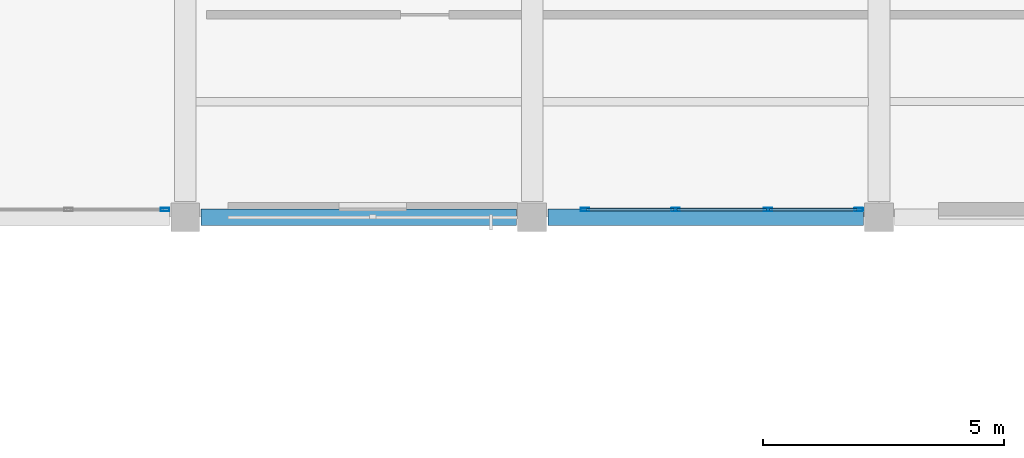
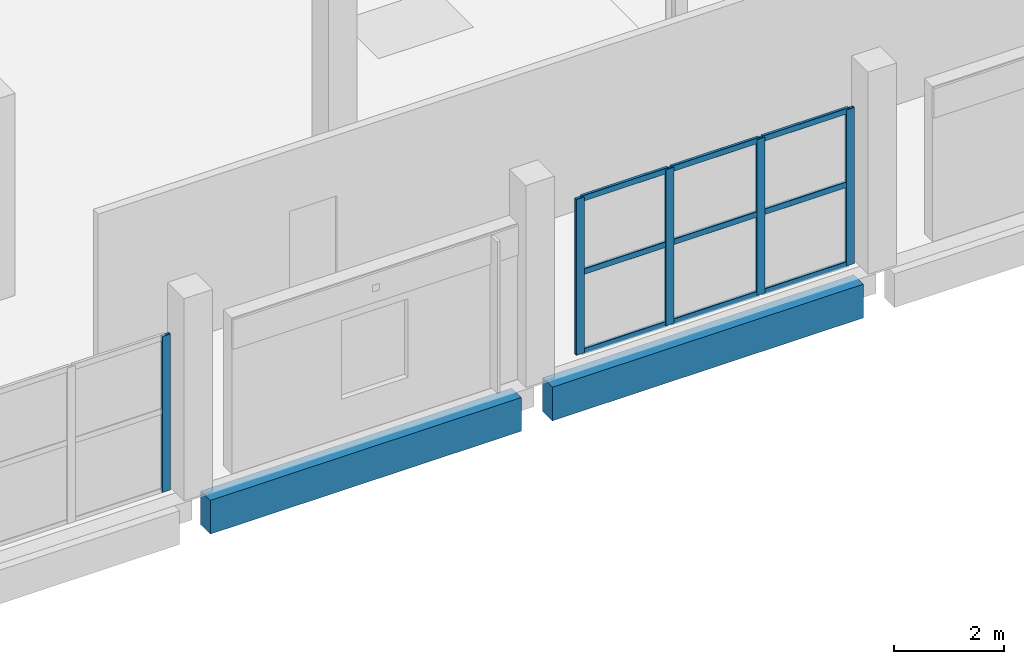
# One storey, part 52 of 123: 14 members, 2 beams, 2 elements without a shape of their own.
"""IFC4 building model written with IfcOpenShell, lengths in metres."""

import ifcopenshell
import ifcopenshell.guid

model = None  # the IFC model being written
_history = None  # IfcOwnerHistory: only IFC2X3 demands one
_inside = {}  # id of a spatial element -> (the spatial element, [elements in it])
_under = {}  # id of a project, library or spatial element -> (it, [spatial elements below it])
_declared = {}  # id of a project -> (the project, [libraries it declares])
_typed = {}  # id of a type object -> (the type object, [elements of that type])
_made_of = {}  # id of a material, layer set ... -> (it, [elements and type objects made of it])


def new_model(schema):
    """Start an empty IFC model of exactly this schema.

    Asked for "IFC4X3", IfcOpenShell would pick the latest addendum, in which some entities
    have other attributes; the version numbers below select the first issue.
    IFC2X3 requires an IfcOwnerHistory on every rooted entity: one is made here for all.
    """
    global model, _history
    if schema == "IFC4X3":
        model = ifcopenshell.file(schema_version=(4, 3, 0, 0))
    else:
        model = ifcopenshell.file(schema=schema)
    _inside.clear()
    _under.clear()
    _declared.clear()
    _typed.clear()
    _made_of.clear()
    _history = None
    if model.schema == "IFC2X3":
        org = make("IfcOrganization", Name="unknown")
        user = make(
            "IfcPersonAndOrganization",
            ThePerson=make("IfcPerson", FamilyName="unknown"),
            TheOrganization=org,
        )
        app = make(
            "IfcApplication",
            ApplicationDeveloper=org,
            Version="unknown",
            ApplicationFullName="unknown",
            ApplicationIdentifier="unknown",
        )
        _history = make(
            "IfcOwnerHistory",
            OwningUser=user,
            OwningApplication=app,
            ChangeAction="ADDED",
            CreationDate=0,
        )
    return model


def make(cls, **values):
    """One entity of the class cls with the attributes given. An attribute that is None is left unset."""
    return model.create_entity(
        cls, **{name: value for name, value in values.items() if value is not None}
    )


def rooted(cls, **values):
    """An entity with a GlobalId (a new one), such as an element, a storey or a relation."""
    return make(cls, GlobalId=ifcopenshell.guid.new(), OwnerHistory=_history, **values)


def si_unit(unit_type, name, prefix=None):
    """IfcSIUnit, for example si_unit("LENGTHUNIT", "METRE", prefix="MILLI")."""
    return make("IfcSIUnit", UnitType=unit_type, Prefix=prefix, Name=name)


def assignment(units):
    """IfcUnitAssignment: the units of a project."""
    return None if units is None else make("IfcUnitAssignment", Units=units)


def point(xyz):
    """IfcCartesianPoint."""
    return None if xyz is None else make("IfcCartesianPoint", Coordinates=xyz)


def direction(xyz):
    """IfcDirection."""
    return None if xyz is None else make("IfcDirection", DirectionRatios=xyz)


def frame(location, z_axis=None, x_axis=None):
    """IfcAxis2Placement3D, a coordinate frame: its origin and axes. An axis left out is left unset."""
    return make(
        "IfcAxis2Placement3D",
        Location=point(location),
        Axis=direction(z_axis),
        RefDirection=direction(x_axis),
    )


def frame_2d(location, x_axis=None):
    """IfcAxis2Placement2D, a coordinate frame in the plane: its origin and x axis."""
    return make(
        "IfcAxis2Placement2D", Location=point(location), RefDirection=direction(x_axis)
    )


def origin():
    """The frame at (0, 0, 0) with its axes left unset."""
    return frame((0.0, 0.0, 0.0))


def origin_2d():
    """The frame at (0, 0) in the plane with its x axis left unset."""
    return frame_2d((0.0, 0.0))


def place(relative_to, where):
    """IfcLocalPlacement: puts the frame where relative to a parent placement (None: the world)."""
    return make(
        "IfcLocalPlacement", PlacementRelTo=relative_to, RelativePlacement=where
    )


def context(
    kind, dimensions, precision=None, world=None, true_north=None, identifier=None
):
    """IfcGeometricRepresentationContext, for example the 3D "Model" context."""
    return make(
        "IfcGeometricRepresentationContext",
        ContextIdentifier=identifier,
        ContextType=kind,
        CoordinateSpaceDimension=dimensions,
        Precision=precision,
        WorldCoordinateSystem=world,
        TrueNorth=true_north,
    )


def subcontext(parent, identifier, kind, view, scale=None):
    """IfcGeometricRepresentationSubContext, for example "Body" below "Model"."""
    return make(
        "IfcGeometricRepresentationSubContext",
        ContextIdentifier=identifier,
        ContextType=kind,
        ParentContext=parent,
        TargetScale=scale,
        TargetView=view,
    )


def project(units=None, contexts=None):
    """IfcProject with its units and contexts."""
    return rooted(
        "IfcProject",
        Name="project",
        RepresentationContexts=contexts,
        UnitsInContext=assignment(units),
    )


def spatial(cls, under=None, at=None, **own):
    """A site, building, storey or space (cls), placed at a placement, below another one or the project."""
    s = rooted(cls, ObjectPlacement=at, **own)
    if under is not None:
        _under.setdefault(under.id(), (under, []))[1].append(s)
    return s


def profile(cls, at=None, kind="AREA", **sizes):
    """A parametric profile (cls). Its sizes go by their IFC names, for example OverallWidth=200.0."""
    return make(cls, ProfileType=kind, Position=at, **sizes)


def rectangle(**sizes):
    """IfcRectangleProfileDef."""
    return profile("IfcRectangleProfileDef", **sizes)


def hollow_rectangle(**sizes):
    """IfcRectangleHollowProfileDef."""
    return profile("IfcRectangleHollowProfileDef", **sizes)


def extrude(swept, where, along, depth):
    """IfcExtrudedAreaSolid: the profile swept, set in the frame where, extruded along a direction by depth."""
    return make(
        "IfcExtrudedAreaSolid",
        SweptArea=swept,
        Position=where,
        ExtrudedDirection=direction(along),
        Depth=depth,
    )


def shape(context_of_items, identifier, shape_type, items):
    """IfcShapeRepresentation: the items that make up one representation, for example the "Body"."""
    return make(
        "IfcShapeRepresentation",
        ContextOfItems=context_of_items,
        RepresentationIdentifier=identifier,
        RepresentationType=shape_type,
        Items=items,
    )


def material(Name=None, Category=None):
    """IfcMaterial."""
    return make("IfcMaterial", Name=Name, Category=Category)


def material_profile(
    of_material, cross_section, Name=None, Category=None, Priority=None
):
    """IfcMaterialProfile: a cross section and its material."""
    return make(
        "IfcMaterialProfile",
        Name=Name,
        Material=of_material,
        Profile=cross_section,
        Priority=Priority,
        Category=Category,
    )


def profile_set(profiles, Name=None, composite=None):
    """IfcMaterialProfileSet."""
    return make(
        "IfcMaterialProfileSet",
        Name=Name,
        MaterialProfiles=profiles,
        CompositeProfile=composite,
    )


def made_of(thing, what):
    """Note that an element or type object is made of a material, layer set ...; save() writes the relation."""
    if what is not None:
        _made_of.setdefault(what.id(), (what, []))[1].append(thing)
    return thing


def type_object(cls, material=None, **own):
    """A type object (cls), such as IfcWallType, which elements share."""
    return made_of(rooted(cls, **own), material)


def element(
    cls,
    number,
    at=None,
    inside=None,
    cuts=None,
    type_object=None,
    material=None,
    context=None,
    identifier="Body",
    shape_type=None,
    held_by="IfcProductDefinitionShape",
    body=None,
    shapes=None,
    **own,
):
    """One element of the class cls, such as IfcWall. Its Tag is "e" and its number.

    at: its placement. inside: the storey or other place that contains it. cuts: it is an
    opening in that element (IfcRelVoidsElement). A single representation is given by context,
    identifier, shape_type and body (its items); several are given by shapes. held_by: the class
    of the entity that holds the representations. save() writes the other relations.
    """
    e = rooted(cls, Tag="e%d" % number, ObjectPlacement=at, **own)
    if body is not None:
        shapes = [shape(context, identifier, shape_type, body)]
    if shapes is not None:
        e.Representation = make(held_by, Representations=shapes)
    if inside is not None:
        _inside.setdefault(inside.id(), (inside, []))[1].append(e)
    if cuts is not None:
        rooted(
            "IfcRelVoidsElement", RelatingBuildingElement=cuts, RelatedOpeningElement=e
        )
    if type_object is not None:
        _typed.setdefault(type_object.id(), (type_object, []))[1].append(e)
    return made_of(e, material)


def aggregate(whole, parts):
    """IfcRelAggregates: a whole, such as a stair, and the parts it consists of."""
    return rooted("IfcRelAggregates", RelatingObject=whole, RelatedObjects=parts)


def save(model, path):
    """Write the relations noted so far, then the file.

    IfcRelAggregates (storeys below a building ...), IfcRelContainedInSpatialStructure (elements
    in a storey), IfcRelDefinesByType, IfcRelAssociatesMaterial and IfcRelDeclares: one each for
    every whole, place, type object, material and project.
    """
    for whole, parts in _under.values():
        aggregate(whole, parts)
    for where, things in _inside.values():
        rooted(
            "IfcRelContainedInSpatialStructure",
            RelatedElements=things,
            RelatingStructure=where,
        )
    for kind, things in _typed.values():
        rooted("IfcRelDefinesByType", RelatedObjects=things, RelatingType=kind)
    for what, things in _made_of.values():
        rooted("IfcRelAssociatesMaterial", RelatedObjects=things, RelatingMaterial=what)
    for by, libraries in _declared.values():
        rooted("IfcRelDeclares", RelatingContext=by, RelatedDefinitions=libraries)
    model.write(path)


model = new_model("IFC4")

# Units and contexts
model_context = context("Model", 3, precision=1e-05, world=origin(), true_north=direction((0.0, 1.0)))
body_context = subcontext(model_context, "Body", "Model", "MODEL_VIEW")
ifc_project = project(units=[si_unit("LENGTHUNIT", "METRE"), si_unit("AREAUNIT", "SQUARE_METRE"), si_unit("VOLUMEUNIT", "CUBIC_METRE"), si_unit("PLANEANGLEUNIT", "RADIAN"), si_unit("MASSUNIT", "GRAM", prefix="KILO")], contexts=[model_context])

# Site, building, storey
site_placement = place(None, origin())
site = spatial("IfcSite", under=ifc_project, at=site_placement, CompositionType="ELEMENT")
building_placement = place(site_placement, origin())
building = spatial("IfcBuilding", under=site, at=building_placement, Name="Kalmorath City Hall", CompositionType="ELEMENT")
storey_placement = place(building_placement, frame((0.0, 0.0, 10.199951171875)))
storey = spatial("IfcBuildingStorey", under=building, at=storey_placement, Name="L02", CompositionType="ELEMENT", Elevation=10.199951171875)

# Curtain wall, members
ifc_material_1 = material(Name="Anodised aluminium and laminated glass", Category="aluminium")
curtain_wall_type_1 = type_object("IfcCurtainWallType", Name="Unitised hurricane curtain wall 5749x3471 M1750", PredefinedType="NOTDEFINED", material=ifc_material_1)
curtain_wall_1_placement = place(storey_placement, origin())
curtain_wall_1 = element("IfcCurtainWall", 1, at=curtain_wall_1_placement, inside=storey, type_object=curtain_wall_type_1, Name="L02 curtain wall CW-57X35M18 #135", PredefinedType="NOTDEFINED")
ifc_material_2 = material(Name="Anodised aluminium framing", Category="aluminium")
ifc_material_profile_1 = material_profile(ifc_material_2, hollow_rectangle(XDim=0.06494140625, YDim=0.179931640625, WallThickness=0.00390625, InnerFilletRadius=0.00390625, OuterFilletRadius=0.008056640625, at=origin_2d()), Name="ALU-MUL-180X65X4")
ifc_profile_set_1 = profile_set([ifc_material_profile_1], Name="Anodised aluminium framing")
member_type_1 = type_object("IfcMemberType", Name="Curtain-wall courtyard mullion 180x65", PredefinedType="MULLION", material=ifc_profile_set_1)
member_1_placement = place(storey_placement, frame((78.777587890625, 93.760009765625, 0.0), z_axis=(0.0, 0.0, 1.0), x_axis=(0.0, -1.0, 0.0)))
member_1 = element("IfcMember", 2, at=member_1_placement, type_object=member_type_1, Name="CW-57X35M18 mullion 1", PredefinedType="MULLION", context=body_context, shape_type="SweptSolid", body=[
    extrude(hollow_rectangle(XDim=0.06494140625, YDim=0.179931640625, WallThickness=0.00390625, InnerFilletRadius=0.00390625, OuterFilletRadius=0.008056640625, at=origin_2d()), origin(), (0.0, 0.0, 1.0), 3.470947265625),
])
member_2_placement = place(storey_placement, frame((76.893798828125, 93.760009765625, 0.0), z_axis=(0.0, 0.0, 1.0), x_axis=(0.0, -1.0, 0.0)))
member_2 = element("IfcMember", 3, at=member_2_placement, type_object=member_type_1, Name="CW-57X35M18 mullion 2", PredefinedType="MULLION", context=body_context, shape_type="SweptSolid", body=[
    extrude(hollow_rectangle(XDim=0.06494140625, YDim=0.179931640625, WallThickness=0.00390625, InnerFilletRadius=0.00390625, OuterFilletRadius=0.008056640625, at=origin_2d()), origin(), (0.0, 0.0, 1.0), 3.470947265625),
])
member_3_placement = place(storey_placement, frame((74.9775390625, 93.760009765625, 0.0), z_axis=(0.0, 0.0, 1.0), x_axis=(0.0, -1.0, 0.0)))
member_3 = element("IfcMember", 4, at=member_3_placement, type_object=member_type_1, Name="CW-57X35M18 mullion 3", PredefinedType="MULLION", context=body_context, shape_type="SweptSolid", body=[
    extrude(hollow_rectangle(XDim=0.06494140625, YDim=0.179931640625, WallThickness=0.00390625, InnerFilletRadius=0.00390625, OuterFilletRadius=0.008056640625, at=origin_2d()), origin(), (0.0, 0.0, 1.0), 3.470947265625),
])
member_4_placement = place(storey_placement, frame((73.093994140625, 93.760009765625, 0.0), z_axis=(0.0, 0.0, 1.0), x_axis=(0.0, -1.0, 0.0)))
member_4 = element("IfcMember", 5, at=member_4_placement, type_object=member_type_1, Name="CW-57X35M18 mullion 4", PredefinedType="MULLION", context=body_context, shape_type="SweptSolid", body=[
    extrude(hollow_rectangle(XDim=0.06494140625, YDim=0.179931640625, WallThickness=0.00390625, InnerFilletRadius=0.00390625, OuterFilletRadius=0.008056640625, at=origin_2d()), origin(), (0.0, 0.0, 1.0), 3.470947265625),
])

# Curtain wall, member
ifc_material_3 = material(Name="Anodised aluminium and laminated glass", Category="aluminium")
curtain_wall_type_2 = type_object("IfcCurtainWallType", Name="Unitised hurricane curtain wall 6102x3471 M1750", PredefinedType="NOTDEFINED", material=ifc_material_3)
curtain_wall_2_placement = place(storey_placement, origin())
curtain_wall_2 = element("IfcCurtainWall", 6, at=curtain_wall_2_placement, inside=storey, type_object=curtain_wall_type_2, Name="L02 curtain wall CW-61X35M18 #136", PredefinedType="NOTDEFINED")
member_5_placement = place(storey_placement, frame((64.37744140625, 93.760009765625, 0.0), z_axis=(0.0, 0.0, 1.0), x_axis=(0.0, -1.0, 0.0)))
member_5 = element("IfcMember", 7, at=member_5_placement, type_object=member_type_1, Name="CW-61X35M18 mullion 1", PredefinedType="MULLION", context=body_context, shape_type="SweptSolid", body=[
    extrude(hollow_rectangle(XDim=0.06494140625, YDim=0.179931640625, WallThickness=0.00390625, InnerFilletRadius=0.00390625, OuterFilletRadius=0.008056640625, at=origin_2d()), origin(), (0.0, 0.0, 1.0), 3.470947265625),
])
aggregate(curtain_wall_2, [member_5])

# Member
ifc_material_4 = material(Name="Anodised aluminium framing", Category="aluminium")
ifc_material_profile_2 = material_profile(ifc_material_4, hollow_rectangle(XDim=0.06005859375, YDim=0.1298828125, WallThickness=0.00341796875, InnerFilletRadius=0.00341796875, OuterFilletRadius=0.007080078125, at=origin_2d()), Name="ALU-TRN-130X60X3.5")
ifc_profile_set_2 = profile_set([ifc_material_profile_2], Name="Anodised aluminium framing")
member_type_2 = type_object("IfcMemberType", Name="Curtain-wall courtyard transom 130x60", PredefinedType="USERDEFINED", material=ifc_profile_set_2)
member_6_placement = place(storey_placement, frame((78.7451171875, 93.760009765625, 0.030029296875), z_axis=(-1.0, 0.0, 0.0), x_axis=(0.0, -1.0, 0.0)))
member_6 = element("IfcMember", 8, at=member_6_placement, type_object=member_type_2, Name="CW-57X35M18 transom 1.1", ObjectType="TRANSOM", PredefinedType="USERDEFINED", context=body_context, shape_type="SweptSolid", body=[
    extrude(hollow_rectangle(XDim=0.06005859375, YDim=0.1298828125, WallThickness=0.00341796875, InnerFilletRadius=0.00341796875, OuterFilletRadius=0.007080078125, at=origin_2d()), origin(), (0.0, 0.0, 1.0), 1.81884765625),
])

member_7_placement = place(storey_placement, frame((78.7451171875, 93.760009765625, 1.804931640625), z_axis=(-1.0, 0.0, 0.0), x_axis=(0.0, -1.0, 0.0)))
member_7 = element("IfcMember", 9, at=member_7_placement, type_object=member_type_2, Name="CW-57X35M18 transom 1.2", ObjectType="TRANSOM", PredefinedType="USERDEFINED", context=body_context, shape_type="SweptSolid", body=[
    extrude(hollow_rectangle(XDim=0.06005859375, YDim=0.1298828125, WallThickness=0.00341796875, InnerFilletRadius=0.00341796875, OuterFilletRadius=0.007080078125, at=origin_2d()), origin(), (0.0, 0.0, 1.0), 1.81884765625),
])

member_8_placement = place(storey_placement, frame((78.7451171875, 93.760009765625, 3.441162109375), z_axis=(-1.0, 0.0, 0.0), x_axis=(0.0, -1.0, 0.0)))
member_8 = element("IfcMember", 10, at=member_8_placement, type_object=member_type_2, Name="CW-57X35M18 transom 1.3", ObjectType="TRANSOM", PredefinedType="USERDEFINED", context=body_context, shape_type="SweptSolid", body=[
    extrude(hollow_rectangle(XDim=0.06005859375, YDim=0.1298828125, WallThickness=0.00341796875, InnerFilletRadius=0.00341796875, OuterFilletRadius=0.007080078125, at=origin_2d()), origin(), (0.0, 0.0, 1.0), 1.81884765625),
])

member_9_placement = place(storey_placement, frame((76.861328125, 93.760009765625, 0.030029296875), z_axis=(-1.0, 0.0, 0.0), x_axis=(0.0, -1.0, 0.0)))
member_9 = element("IfcMember", 11, at=member_9_placement, type_object=member_type_2, Name="CW-57X35M18 transom 2.1", ObjectType="TRANSOM", PredefinedType="USERDEFINED", context=body_context, shape_type="SweptSolid", body=[
    extrude(hollow_rectangle(XDim=0.06005859375, YDim=0.1298828125, WallThickness=0.00341796875, InnerFilletRadius=0.00341796875, OuterFilletRadius=0.007080078125, at=origin_2d()), origin(), (0.0, 0.0, 1.0), 1.851318359375),
])

member_10_placement = place(storey_placement, frame((76.861328125, 93.760009765625, 1.804931640625), z_axis=(-1.0, 0.0, 0.0), x_axis=(0.0, -1.0, 0.0)))
member_10 = element("IfcMember", 12, at=member_10_placement, type_object=member_type_2, Name="CW-57X35M18 transom 2.2", ObjectType="TRANSOM", PredefinedType="USERDEFINED", context=body_context, shape_type="SweptSolid", body=[
    extrude(hollow_rectangle(XDim=0.06005859375, YDim=0.1298828125, WallThickness=0.00341796875, InnerFilletRadius=0.00341796875, OuterFilletRadius=0.007080078125, at=origin_2d()), origin(), (0.0, 0.0, 1.0), 1.851318359375),
])

member_11_placement = place(storey_placement, frame((76.861328125, 93.760009765625, 3.441162109375), z_axis=(-1.0, 0.0, 0.0), x_axis=(0.0, -1.0, 0.0)))
member_11 = element("IfcMember", 13, at=member_11_placement, type_object=member_type_2, Name="CW-57X35M18 transom 2.3", ObjectType="TRANSOM", PredefinedType="USERDEFINED", context=body_context, shape_type="SweptSolid", body=[
    extrude(hollow_rectangle(XDim=0.06005859375, YDim=0.1298828125, WallThickness=0.00341796875, InnerFilletRadius=0.00341796875, OuterFilletRadius=0.007080078125, at=origin_2d()), origin(), (0.0, 0.0, 1.0), 1.851318359375),
])

member_12_placement = place(storey_placement, frame((74.945068359375, 93.760009765625, 0.030029296875), z_axis=(-1.0, 0.0, 0.0), x_axis=(0.0, -1.0, 0.0)))
member_12 = element("IfcMember", 14, at=member_12_placement, type_object=member_type_2, Name="CW-57X35M18 transom 3.1", ObjectType="TRANSOM", PredefinedType="USERDEFINED", context=body_context, shape_type="SweptSolid", body=[
    extrude(hollow_rectangle(XDim=0.06005859375, YDim=0.1298828125, WallThickness=0.00341796875, InnerFilletRadius=0.00341796875, OuterFilletRadius=0.007080078125, at=origin_2d()), origin(), (0.0, 0.0, 1.0), 1.818603515625),
])

member_13_placement = place(storey_placement, frame((74.945068359375, 93.760009765625, 1.804931640625), z_axis=(-1.0, 0.0, 0.0), x_axis=(0.0, -1.0, 0.0)))
member_13 = element("IfcMember", 15, at=member_13_placement, type_object=member_type_2, Name="CW-57X35M18 transom 3.2", ObjectType="TRANSOM", PredefinedType="USERDEFINED", context=body_context, shape_type="SweptSolid", body=[
    extrude(hollow_rectangle(XDim=0.06005859375, YDim=0.1298828125, WallThickness=0.00341796875, InnerFilletRadius=0.00341796875, OuterFilletRadius=0.007080078125, at=origin_2d()), origin(), (0.0, 0.0, 1.0), 1.818603515625),
])

member_14_placement = place(storey_placement, frame((74.945068359375, 93.760009765625, 3.441162109375), z_axis=(-1.0, 0.0, 0.0), x_axis=(0.0, -1.0, 0.0)))
member_14 = element("IfcMember", 16, at=member_14_placement, type_object=member_type_2, Name="CW-57X35M18 transom 3.3", ObjectType="TRANSOM", PredefinedType="USERDEFINED", context=body_context, shape_type="SweptSolid", body=[
    extrude(hollow_rectangle(XDim=0.06005859375, YDim=0.1298828125, WallThickness=0.00341796875, InnerFilletRadius=0.00341796875, OuterFilletRadius=0.007080078125, at=origin_2d()), origin(), (0.0, 0.0, 1.0), 1.818603515625),
])

aggregate(curtain_wall_1, [member_1, member_2, member_3, member_4, member_6, member_7, member_8, member_9, member_10, member_11, member_12, member_13, member_14])

# Beams
ifc_material_5 = material(Name="Precast concrete C40/50", Category="concrete")
ifc_material_profile_3 = material_profile(ifc_material_5, rectangle(XDim=0.35009765625, YDim=0.75, at=origin_2d()), Name="PC-SP-350X750")
ifc_profile_set_3 = profile_set([ifc_material_profile_3], Name="Precast concrete C40/50")
beam_type = type_object("IfcBeamType", Name="Precast spandrel lintel 350x750", PredefinedType="LINTEL", material=ifc_profile_set_3)
for number, where, z_axis, x_axis, name in (
    (17, (65.125, 93.60009765625, -0.658935546875), (1.0, 0.0, 0.0), (0.0, 1.0, 0.0), "L02 girder PSB1 X10-11/14"),
    (18, (72.324951171875, 93.60009765625, -0.658935546875), (1.0, 0.0, 0.0), (0.0, 1.0, 0.0), "L02 girder PSB1 X11-12/14"),
):
    element("IfcBeam", number, at=place(storey_placement, frame(where, z_axis=z_axis, x_axis=x_axis)), inside=storey, type_object=beam_type, Name=name, PredefinedType="LINTEL", context=body_context, shape_type="SweptSolid", body=[
        extrude(rectangle(XDim=0.35009765625, YDim=0.75, at=origin_2d()), origin(), (0.0, 0.0, 1.0), 6.550048828125),
    ])

save(model, "model.ifc")
